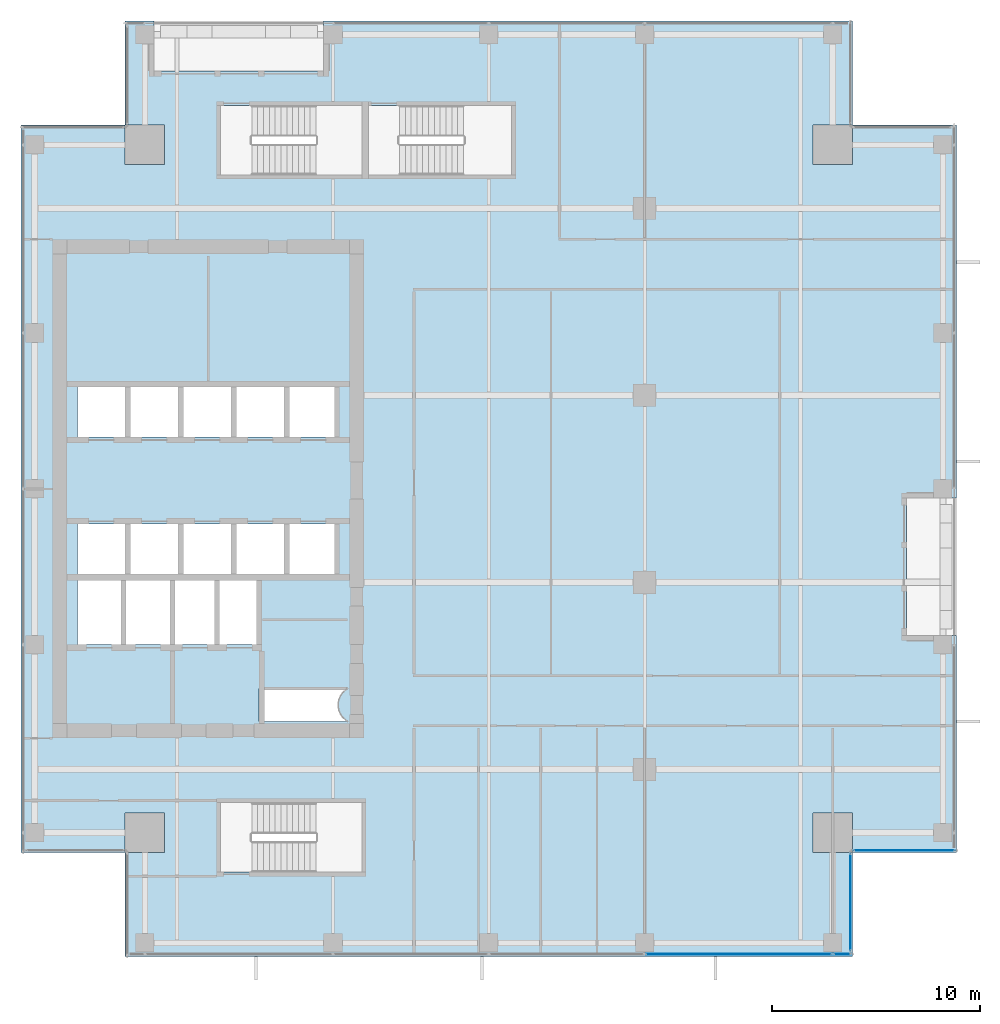
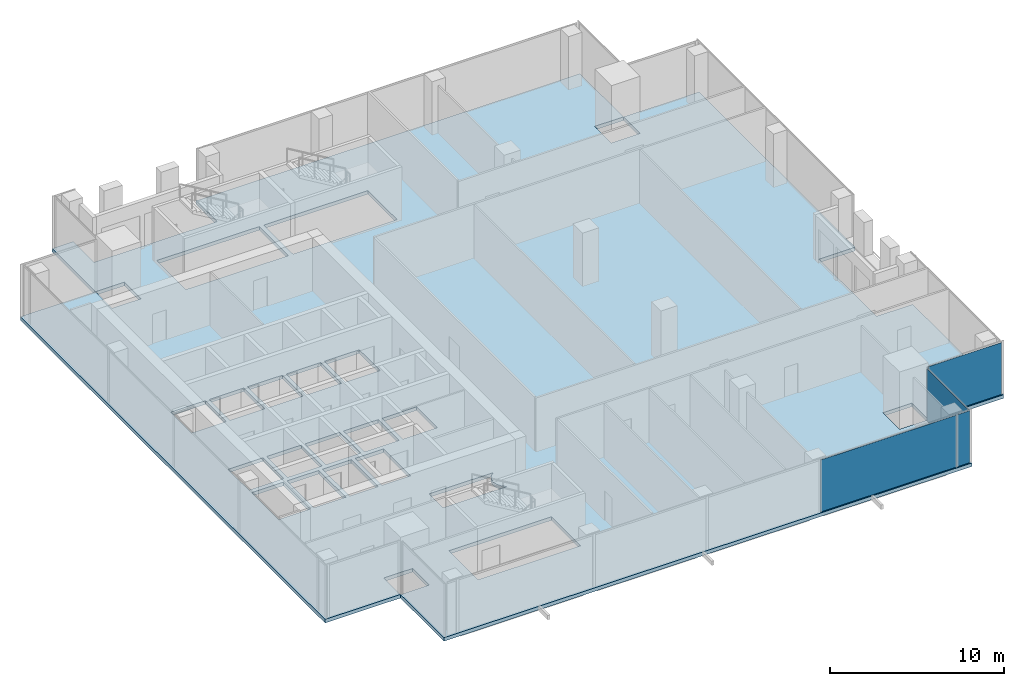
# One storey, part 27 of 36: 4 plates, 1 slab, 3 elements without a shape of their own.
"""IFC4 building model written with IfcOpenShell, lengths in metres."""

from ifc_helpers import new_model, si_unit, direction, frame, origin, origin_2d, place, context, subcontext, project, spatial, polyline, rectangle, outline, extrude, source, transform, mapped, material, layer, layer_set, type_object, element, aggregate, save


model = new_model("IFC4")

# Units and contexts
model_context = context("Model", 3, precision=1e-05, world=origin(), true_north=direction((0.0, 1.0)))
body_context = subcontext(model_context, "Body", "Model", "MODEL_VIEW")
ifc_project = project(units=[si_unit("LENGTHUNIT", "METRE"), si_unit("AREAUNIT", "SQUARE_METRE"), si_unit("VOLUMEUNIT", "CUBIC_METRE"), si_unit("PLANEANGLEUNIT", "RADIAN"), si_unit("MASSUNIT", "GRAM", prefix="KILO")], contexts=[model_context])

# Site, building, storey
site_placement = place(None, origin())
site = spatial("IfcSite", under=ifc_project, at=site_placement, CompositionType="ELEMENT")
building_placement = place(site_placement, origin())
building = spatial("IfcBuilding", under=site, at=building_placement, Name="Khomas Fold Tower", CompositionType="ELEMENT")
storey_placement = place(building_placement, frame((0.0, 0.0, 226.199951171875)))
storey = spatial("IfcBuildingStorey", under=building, at=storey_placement, Name="L50", CompositionType="ELEMENT", Elevation=226.199951171875)

# Slab
ifc_material_1 = material(Name="Concrete C40/50", Category="concrete")
ifc_layer_1 = layer(ifc_material_1, 0.25)
ifc_layer_set_1 = layer_set([ifc_layer_1], Name="Concrete C40/50")
slab_type = type_object("IfcSlabType", Name="RC floor slab 250", PredefinedType="FLOOR", material=ifc_layer_set_1)
shared_shape_1 = source(origin(), body_context, "Body", "SweptSolid", [
    extrude(outline(polyline([(4.5, 9.5), (9.4951171875, 9.5), (9.4951171875, 11.405029296875), (11.405029296875, 11.405029296875), (11.405029296875, 9.4951171875), (9.5, 9.4951171875), (9.5, 4.5), (44.5, 4.5), (44.5, 9.4951171875), (42.594970703125, 9.4951171875), (42.594970703125, 11.405029296875), (44.5048828125, 11.405029296875), (44.5048828125, 9.5), (49.5, 9.5), (49.5, 19.949951171875), (47.10009765625, 19.949951171875), (47.10009765625, 26.550048828125), (49.5, 26.550048828125), (49.5, 44.5), (44.5048828125, 44.5), (44.5048828125, 42.594970703125), (42.594970703125, 42.594970703125), (42.594970703125, 44.5048828125), (44.5, 44.5048828125), (44.5, 49.5), (19.050048828125, 49.5), (19.050048828125, 47.10009765625), (10.89990234375, 47.10009765625), (10.89990234375, 49.5), (9.5, 49.5), (9.5, 44.5048828125), (11.405029296875, 44.5048828125), (11.405029296875, 42.594970703125), (9.4951171875, 42.594970703125), (9.4951171875, 44.5), (4.5, 44.5), (4.5, 9.5)]), holes=[polyline([(7.199951171875, 19.5), (7.199951171875, 22.60009765625), (9.300048828125, 22.60009765625), (9.300048828125, 19.5), (7.199951171875, 19.5)]), polyline([(7.199951171875, 22.89990234375), (7.199951171875, 25.300048828125), (9.5, 25.300048828125), (9.5, 22.89990234375), (7.199951171875, 22.89990234375)]), polyline([(7.199951171875, 29.5), (7.199951171875, 31.89990234375), (9.5, 31.89990234375), (9.5, 29.5), (7.199951171875, 29.5)]), polyline([(9.550048828125, 19.5), (9.550048828125, 22.60009765625), (11.64990234375, 22.60009765625), (11.64990234375, 19.5), (9.550048828125, 19.5)]), polyline([(9.75, 22.89990234375), (9.75, 25.300048828125), (12.050048828125, 25.300048828125), (12.050048828125, 22.89990234375), (9.75, 22.89990234375)]), polyline([(9.75, 29.5), (9.75, 31.89990234375), (12.050048828125, 31.89990234375), (12.050048828125, 29.5), (9.75, 29.5)]), polyline([(11.89990234375, 19.5), (11.89990234375, 22.60009765625), (13.800048828125, 22.60009765625), (13.800048828125, 19.5), (11.89990234375, 19.5)]), polyline([(12.300048828125, 22.89990234375), (12.300048828125, 25.300048828125), (14.60009765625, 25.300048828125), (14.60009765625, 22.89990234375), (12.300048828125, 22.89990234375)]), polyline([(12.300048828125, 29.5), (12.300048828125, 31.89990234375), (14.60009765625, 31.89990234375), (14.60009765625, 29.5), (12.300048828125, 29.5)]), polyline([(14.050048828125, 19.5), (14.050048828125, 22.60009765625), (15.949951171875, 22.60009765625), (15.949951171875, 19.5), (14.050048828125, 19.5)]), polyline([(14.10009765625, 8.550048828125), (14.10009765625, 11.89990234375), (20.89990234375, 11.89990234375), (20.89990234375, 8.550048828125), (14.10009765625, 8.550048828125)]), polyline([(14.10009765625, 42.10009765625), (14.10009765625, 45.449951171875), (20.89990234375, 45.449951171875), (20.89990234375, 42.10009765625), (14.10009765625, 42.10009765625)]), polyline([(14.85009765625, 22.89990234375), (14.85009765625, 25.300048828125), (17.14990234375, 25.300048828125), (17.14990234375, 22.89990234375), (14.85009765625, 22.89990234375)]), polyline([(14.85009765625, 29.5), (14.85009765625, 31.89990234375), (17.14990234375, 31.89990234375), (17.14990234375, 29.5), (14.85009765625, 29.5)]), polyline([(15.949951171875, 15.800048828125), (15.949951171875, 17.39990234375), (20.199951171875, 17.39990234375), (20.199951171875, 17.37841796875), (20.14990234375, 17.348388671875), (20.0791015625, 17.295654296875), (20.013671875, 17.236328125), (19.954345703125, 17.1708984375), (19.901611328125, 17.10009765625), (19.856201171875, 17.0244140625), (19.818603515625, 16.9443359375), (19.788818359375, 16.861328125), (19.767333984375, 16.775634765625), (19.75439453125, 16.688232421875), (19.75, 16.60009765625), (19.75439453125, 16.51171875), (19.767333984375, 16.42431640625), (19.788818359375, 16.338623046875), (19.818603515625, 16.255615234375), (19.856201171875, 16.17578125), (19.901611328125, 16.10009765625), (19.954345703125, 16.029052734375), (20.013671875, 15.963623046875), (20.0791015625, 15.904296875), (20.14990234375, 15.851806640625), (20.199951171875, 15.82177734375), (20.199951171875, 15.800048828125), (15.949951171875, 15.800048828125)]), polyline([(17.39990234375, 22.89990234375), (17.39990234375, 25.300048828125), (19.699951171875, 25.300048828125), (19.699951171875, 22.89990234375), (17.39990234375, 22.89990234375)]), polyline([(17.39990234375, 29.5), (17.39990234375, 31.89990234375), (19.699951171875, 31.89990234375), (19.699951171875, 29.5), (17.39990234375, 29.5)]), polyline([(21.199951171875, 42.10009765625), (21.199951171875, 45.449951171875), (28.10009765625, 45.449951171875), (28.10009765625, 42.10009765625), (21.199951171875, 42.10009765625)])]), origin(), (0.0, 0.0, 1.0), 0.25),
])
slab_placement = place(storey_placement, frame((0.0, 0.0, -0.25)))
element("IfcSlab", 1, at=slab_placement, inside=storey, type_object=slab_type, Name="S-L50", PredefinedType="FLOOR", context=body_context, shape_type="MappedRepresentation", body=[
    mapped(shared_shape_1, transform((0.0, 0.0, 0.0))),
])

# Curtain wall, plates
ifc_material_2 = material(Name="Aluminium framed double glazing", Category="aluminium")
curtain_wall_type = type_object("IfcCurtainWallType", Name="SK-Unitised clear-glass wall, office floors CW2", PredefinedType="NOTDEFINED", material=ifc_material_2)
curtain_wall_1_placement = place(storey_placement, origin())
curtain_wall_1 = element("IfcCurtainWall", 2, at=curtain_wall_1_placement, inside=storey, type_object=curtain_wall_type, Name="CW2 run L50 00-0", PredefinedType="NOTDEFINED")
ifc_material_3 = material(Name="Clear double glazed unit")
ifc_layer_2 = layer(ifc_material_3, 0.030029296875)
ifc_layer_set_2 = layer_set([ifc_layer_2], Name="Clear double glazed unit")
plate_type = type_object("IfcPlateType", Name="SK-Unitised clear-glass wall, office floors glass panel CW2-P", PredefinedType="CURTAIN_PANEL", material=ifc_layer_set_2)
shared_shape_2 = source(origin(), body_context, "Body", "SweptSolid", [
    extrude(rectangle(XDim=0.860107421875, YDim=0.030029296875, at=origin_2d()), origin(), (0.0, 0.0, 1.0), 3.639892578125),
])
plate_1_placement = place(storey_placement, frame((44.010009765625, 4.60009765625, 0.0), z_axis=(0.0, 0.0, 1.0), x_axis=(1.0, 0.0, 0.0)))
plate_1 = element("IfcPlate", 3, at=plate_1_placement, type_object=plate_type, Name="CW2 glass panel 6", PredefinedType="CURTAIN_PANEL", context=body_context, shape_type="MappedRepresentation", body=[
    mapped(shared_shape_2, transform((0.0, 0.0, 0.0))),
])
shared_shape_3 = source(origin(), body_context, "Body", "SweptSolid", [
    extrude(rectangle(XDim=8.989990234375, YDim=0.030029296875, at=origin_2d()), origin(), (0.0, 0.0, 1.0), 3.639892578125),
])
plate_2_placement = place(storey_placement, frame((39.02490234375, 4.60009765625, 0.0), z_axis=(0.0, 0.0, 1.0), x_axis=(1.0, 0.0, 0.0)))
plate_2 = element("IfcPlate", 4, at=plate_2_placement, type_object=plate_type, Name="CW2 glass panel 5", PredefinedType="CURTAIN_PANEL", context=body_context, shape_type="MappedRepresentation", body=[
    mapped(shared_shape_3, transform((0.0, 0.0, 0.0))),
])
aggregate(curtain_wall_1, [plate_2, plate_1])

# Curtain wall, plate
curtain_wall_2_placement = place(storey_placement, origin())
curtain_wall_2 = element("IfcCurtainWall", 5, at=curtain_wall_2_placement, inside=storey, type_object=curtain_wall_type, Name="CW2 corner return L50 01", PredefinedType="NOTDEFINED")
shared_shape_4 = source(origin(), body_context, "Body", "SweptSolid", [
    extrude(rectangle(XDim=4.679931640625, YDim=0.030029296875, at=origin_2d()), origin(), (0.0, 0.0, 1.0), 3.639892578125),
])
plate_3_placement = place(storey_placement, frame((44.39990234375, 7.10009765625, 0.0), z_axis=(0.0, 0.0, 1.0), x_axis=(0.0, 1.0, 0.0)))
plate_3 = element("IfcPlate", 6, at=plate_3_placement, type_object=plate_type, Name="CW2 glass panel 1", PredefinedType="CURTAIN_PANEL", context=body_context, shape_type="MappedRepresentation", body=[
    mapped(shared_shape_4, transform((0.0, 0.0, 0.0))),
])
aggregate(curtain_wall_2, [plate_3])

curtain_wall_3_placement = place(storey_placement, origin())
curtain_wall_3 = element("IfcCurtainWall", 7, at=curtain_wall_3_placement, inside=storey, type_object=curtain_wall_type, Name="CW2 corner return L50 02", PredefinedType="NOTDEFINED")
shared_shape_5 = source(origin(), body_context, "Body", "SweptSolid", [
    extrude(rectangle(XDim=4.8798828125, YDim=0.030029296875, at=origin_2d()), origin(), (0.0, 0.0, 1.0), 3.639892578125),
])
plate_4_placement = place(storey_placement, frame((47.0, 9.60009765625, 0.0), z_axis=(0.0, 0.0, 1.0), x_axis=(1.0, 0.0, 0.0)))
plate_4 = element("IfcPlate", 8, at=plate_4_placement, type_object=plate_type, Name="CW2 glass panel 1", PredefinedType="CURTAIN_PANEL", context=body_context, shape_type="MappedRepresentation", body=[
    mapped(shared_shape_5, transform((0.0, 0.0, 0.0))),
])
aggregate(curtain_wall_3, [plate_4])

save(model, "model.ifc")
